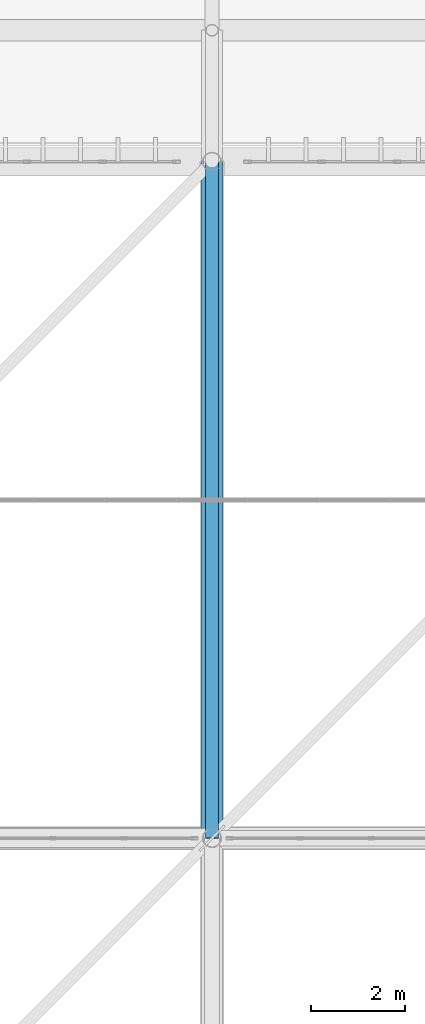
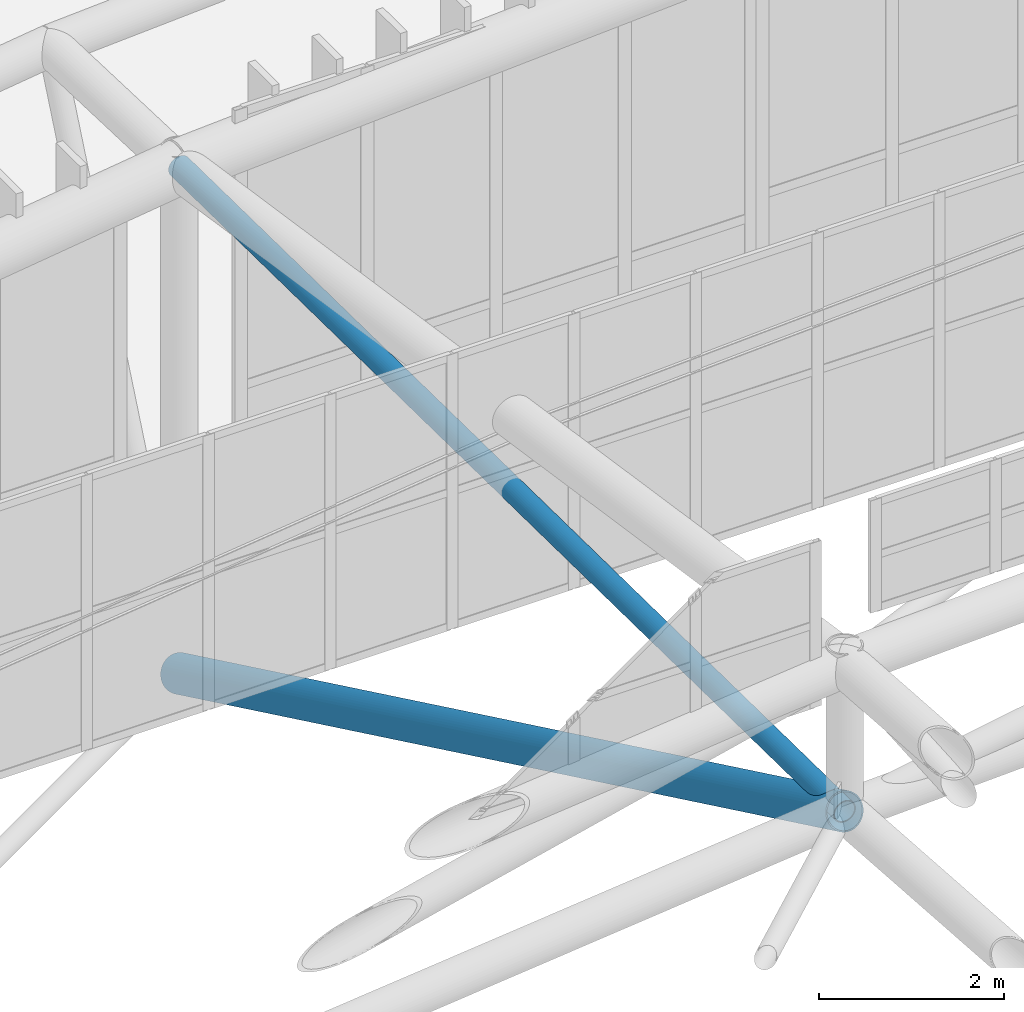
# One storey, part 240 of 397: 1 beam, 1 member.
"""IFC4 building model written with IfcOpenShell, lengths in metres."""

from ifc_helpers import new_model, si_unit, direction, frame, origin, origin_2d, place, context, subcontext, project, spatial, hollow_circle, extrude, material, material_profile, profile_set, type_object, element, save


model = new_model("IFC4")

# Units and contexts
model_context = context("Model", 3, precision=1e-05, world=origin(), true_north=direction((0.0, 1.0)))
body_context = subcontext(model_context, "Body", "Model", "MODEL_VIEW")
ifc_project = project(units=[si_unit("LENGTHUNIT", "METRE"), si_unit("AREAUNIT", "SQUARE_METRE"), si_unit("VOLUMEUNIT", "CUBIC_METRE"), si_unit("PLANEANGLEUNIT", "RADIAN"), si_unit("MASSUNIT", "GRAM", prefix="KILO")], contexts=[model_context])

# Site, building, storey
site_placement = place(None, origin())
site = spatial("IfcSite", under=ifc_project, at=site_placement, CompositionType="ELEMENT")
building_placement = place(site_placement, origin())
building = spatial("IfcBuilding", under=site, at=building_placement, Name="Qandorah Velis Arena", CompositionType="ELEMENT")
storey_placement = place(building_placement, frame((0.0, 0.0, 27.5)))
storey = spatial("IfcBuildingStorey", under=building, at=storey_placement, Name="RF", CompositionType="ELEMENT", Elevation=27.5)

# Beam
ifc_material = material(Name="Steel S355", Category="steel")
ifc_material_profile_1 = material_profile(ifc_material, hollow_circle(Radius=0.228515625, WallThickness=0.01611328125, at=origin_2d()), Name="CHS 457x16")
ifc_profile_set_1 = profile_set([ifc_material_profile_1], Name="Steel S355")
beam_type = type_object("IfcBeamType", Name="STR-SFC-CHS457X16", PredefinedType="USERDEFINED", material=ifc_profile_set_1)
beam_placement = place(storey_placement, frame((43.199951171875, 100.800048828125, 7.009521484375), z_axis=(0.0, 0.901584827408, -0.432602356659), x_axis=(-1.0, 0.0, 0.0)))
element("IfcBeam", 1, at=beam_placement, inside=storey, type_object=beam_type, Name="Space frame roof truss bottom chord Y 2.6", ObjectType="ROOF TRUSS", PredefinedType="USERDEFINED", context=body_context, shape_type="SweptSolid", body=[
    extrude(hollow_circle(Radius=0.228515625, WallThickness=0.01611328125, at=origin_2d()), origin(), (0.0, 0.0, 1.0), 15.9716796875),
])

# Member
ifc_material_profile_2 = material_profile(ifc_material, hollow_circle(Radius=0.136474609375, WallThickness=0.010009765625, at=origin_2d()), Name="CHS 273x10")
ifc_profile_set_2 = profile_set([ifc_material_profile_2], Name="Steel S355")
member_type = type_object("IfcMemberType", Name="STR-SFD-CHS273X10", PredefinedType="STRUT", material=ifc_profile_set_2)
member_placement = place(storey_placement, frame((43.199951171875, 100.800048828125, 7.009521484375), z_axis=(0.0, 0.999893470984, -0.014596118791), x_axis=(-1.0, 0.0, 0.0)))
element("IfcMember", 2, at=member_placement, inside=storey, type_object=member_type, Name="Space frame roof diagonal Y 2.6", PredefinedType="STRUT", context=body_context, shape_type="SweptSolid", body=[
    extrude(hollow_circle(Radius=0.136474609375, WallThickness=0.010009765625, at=origin_2d()), origin(), (0.0, 0.0, 1.0), 14.4013671875),
])

save(model, "model.ifc")
